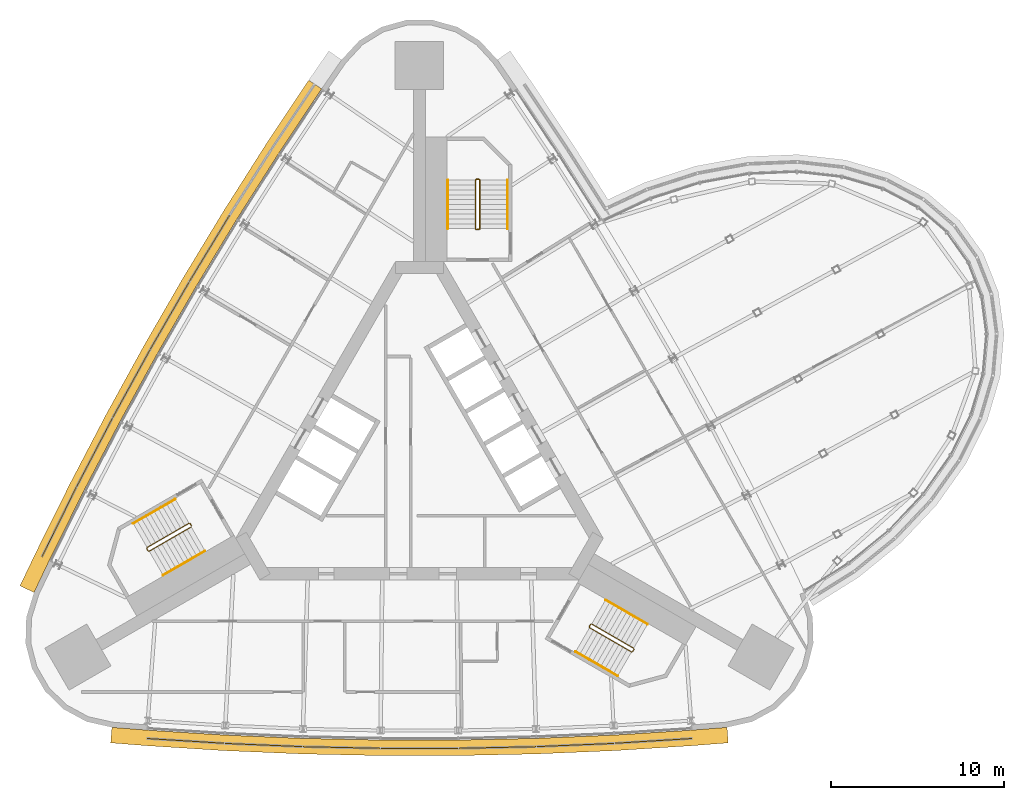
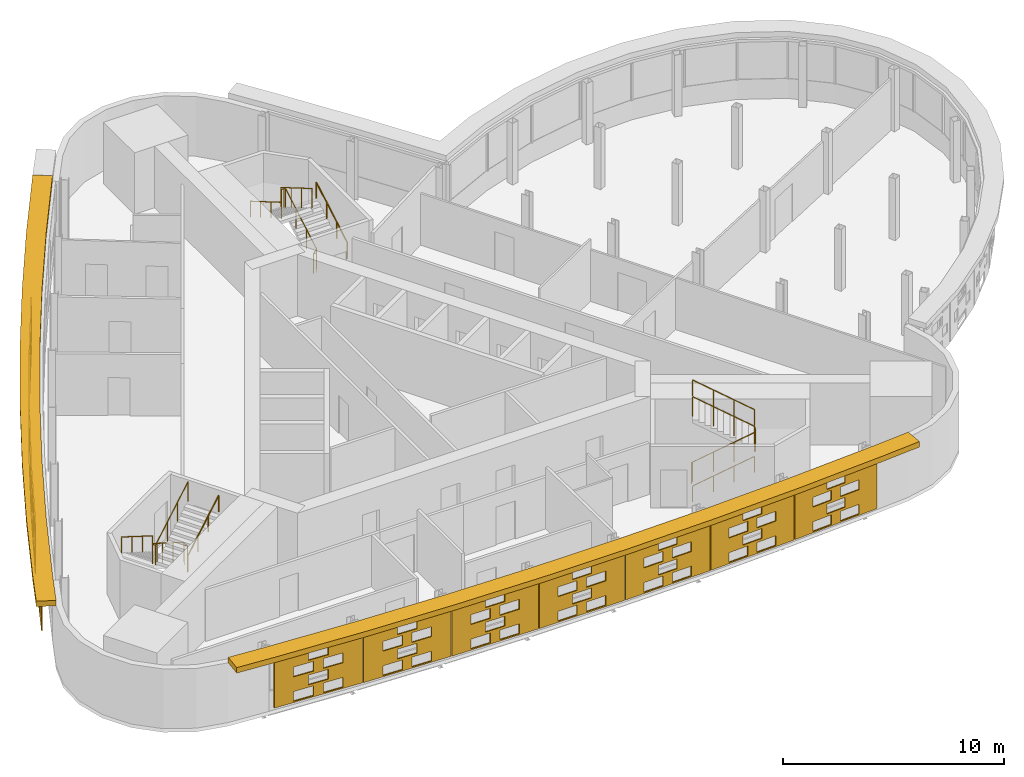
# One storey, part 13 of 15: 14 shading devices, 9 railings.
"""IFC4 building model written with IfcOpenShell, lengths in metres."""

import ifcopenshell
import ifcopenshell.guid

model = None  # the IFC model being written
_history = None  # IfcOwnerHistory: only IFC2X3 demands one
_inside = {}  # id of a spatial element -> (the spatial element, [elements in it])
_under = {}  # id of a project, library or spatial element -> (it, [spatial elements below it])
_declared = {}  # id of a project -> (the project, [libraries it declares])
_typed = {}  # id of a type object -> (the type object, [elements of that type])
_made_of = {}  # id of a material, layer set ... -> (it, [elements and type objects made of it])


def new_model(schema):
    """Start an empty IFC model of exactly this schema.

    Asked for "IFC4X3", IfcOpenShell would pick the latest addendum, in which some entities
    have other attributes; the version numbers below select the first issue.
    IFC2X3 requires an IfcOwnerHistory on every rooted entity: one is made here for all.
    """
    global model, _history
    if schema == "IFC4X3":
        model = ifcopenshell.file(schema_version=(4, 3, 0, 0))
    else:
        model = ifcopenshell.file(schema=schema)
    _inside.clear()
    _under.clear()
    _declared.clear()
    _typed.clear()
    _made_of.clear()
    _history = None
    if model.schema == "IFC2X3":
        org = make("IfcOrganization", Name="unknown")
        user = make(
            "IfcPersonAndOrganization",
            ThePerson=make("IfcPerson", FamilyName="unknown"),
            TheOrganization=org,
        )
        app = make(
            "IfcApplication",
            ApplicationDeveloper=org,
            Version="unknown",
            ApplicationFullName="unknown",
            ApplicationIdentifier="unknown",
        )
        _history = make(
            "IfcOwnerHistory",
            OwningUser=user,
            OwningApplication=app,
            ChangeAction="ADDED",
            CreationDate=0,
        )
    return model


def make(cls, **values):
    """One entity of the class cls with the attributes given. An attribute that is None is left unset."""
    return model.create_entity(
        cls, **{name: value for name, value in values.items() if value is not None}
    )


def rooted(cls, **values):
    """An entity with a GlobalId (a new one), such as an element, a storey or a relation."""
    return make(cls, GlobalId=ifcopenshell.guid.new(), OwnerHistory=_history, **values)


def si_unit(unit_type, name, prefix=None):
    """IfcSIUnit, for example si_unit("LENGTHUNIT", "METRE", prefix="MILLI")."""
    return make("IfcSIUnit", UnitType=unit_type, Prefix=prefix, Name=name)


def assignment(units):
    """IfcUnitAssignment: the units of a project."""
    return None if units is None else make("IfcUnitAssignment", Units=units)


def point(xyz):
    """IfcCartesianPoint."""
    return None if xyz is None else make("IfcCartesianPoint", Coordinates=xyz)


def direction(xyz):
    """IfcDirection."""
    return None if xyz is None else make("IfcDirection", DirectionRatios=xyz)


def frame(location, z_axis=None, x_axis=None):
    """IfcAxis2Placement3D, a coordinate frame: its origin and axes. An axis left out is left unset."""
    return make(
        "IfcAxis2Placement3D",
        Location=point(location),
        Axis=direction(z_axis),
        RefDirection=direction(x_axis),
    )


def frame_2d(location, x_axis=None):
    """IfcAxis2Placement2D, a coordinate frame in the plane: its origin and x axis."""
    return make(
        "IfcAxis2Placement2D", Location=point(location), RefDirection=direction(x_axis)
    )


def origin():
    """The frame at (0, 0, 0) with its axes left unset."""
    return frame((0.0, 0.0, 0.0))


def origin_2d():
    """The frame at (0, 0) in the plane with its x axis left unset."""
    return frame_2d((0.0, 0.0))


def place(relative_to, where):
    """IfcLocalPlacement: puts the frame where relative to a parent placement (None: the world)."""
    return make(
        "IfcLocalPlacement", PlacementRelTo=relative_to, RelativePlacement=where
    )


def context(
    kind, dimensions, precision=None, world=None, true_north=None, identifier=None
):
    """IfcGeometricRepresentationContext, for example the 3D "Model" context."""
    return make(
        "IfcGeometricRepresentationContext",
        ContextIdentifier=identifier,
        ContextType=kind,
        CoordinateSpaceDimension=dimensions,
        Precision=precision,
        WorldCoordinateSystem=world,
        TrueNorth=true_north,
    )


def subcontext(parent, identifier, kind, view, scale=None):
    """IfcGeometricRepresentationSubContext, for example "Body" below "Model"."""
    return make(
        "IfcGeometricRepresentationSubContext",
        ContextIdentifier=identifier,
        ContextType=kind,
        ParentContext=parent,
        TargetScale=scale,
        TargetView=view,
    )


def project(units=None, contexts=None):
    """IfcProject with its units and contexts."""
    return rooted(
        "IfcProject",
        Name="project",
        RepresentationContexts=contexts,
        UnitsInContext=assignment(units),
    )


def spatial(cls, under=None, at=None, **own):
    """A site, building, storey or space (cls), placed at a placement, below another one or the project."""
    s = rooted(cls, ObjectPlacement=at, **own)
    if under is not None:
        _under.setdefault(under.id(), (under, []))[1].append(s)
    return s


def polyline(points):
    """IfcPolyline through the points."""
    return make("IfcPolyline", Points=[point(p) for p in points])


def profile(cls, at=None, kind="AREA", **sizes):
    """A parametric profile (cls). Its sizes go by their IFC names, for example OverallWidth=200.0."""
    return make(cls, ProfileType=kind, Position=at, **sizes)


def circle(**sizes):
    """IfcCircleProfileDef."""
    return profile("IfcCircleProfileDef", **sizes)


def outline(outer, holes=None, kind="AREA"):
    """IfcArbitraryClosedProfileDef: a profile drawn as a closed curve; with holes, ...WithVoids."""
    if holes is None:
        return make("IfcArbitraryClosedProfileDef", ProfileType=kind, OuterCurve=outer)
    return make(
        "IfcArbitraryProfileDefWithVoids",
        ProfileType=kind,
        OuterCurve=outer,
        InnerCurves=holes,
    )


def extrude(swept, where, along, depth):
    """IfcExtrudedAreaSolid: the profile swept, set in the frame where, extruded along a direction by depth."""
    return make(
        "IfcExtrudedAreaSolid",
        SweptArea=swept,
        Position=where,
        ExtrudedDirection=direction(along),
        Depth=depth,
    )


def shape(context_of_items, identifier, shape_type, items):
    """IfcShapeRepresentation: the items that make up one representation, for example the "Body"."""
    return make(
        "IfcShapeRepresentation",
        ContextOfItems=context_of_items,
        RepresentationIdentifier=identifier,
        RepresentationType=shape_type,
        Items=items,
    )


def material(Name=None, Category=None):
    """IfcMaterial."""
    return make("IfcMaterial", Name=Name, Category=Category)


def material_profile(
    of_material, cross_section, Name=None, Category=None, Priority=None
):
    """IfcMaterialProfile: a cross section and its material."""
    return make(
        "IfcMaterialProfile",
        Name=Name,
        Material=of_material,
        Profile=cross_section,
        Priority=Priority,
        Category=Category,
    )


def profile_set(profiles, Name=None, composite=None):
    """IfcMaterialProfileSet."""
    return make(
        "IfcMaterialProfileSet",
        Name=Name,
        MaterialProfiles=profiles,
        CompositeProfile=composite,
    )


def made_of(thing, what):
    """Note that an element or type object is made of a material, layer set ...; save() writes the relation."""
    if what is not None:
        _made_of.setdefault(what.id(), (what, []))[1].append(thing)
    return thing


def type_object(cls, material=None, **own):
    """A type object (cls), such as IfcWallType, which elements share."""
    return made_of(rooted(cls, **own), material)


def element(
    cls,
    number,
    at=None,
    inside=None,
    cuts=None,
    type_object=None,
    material=None,
    context=None,
    identifier="Body",
    shape_type=None,
    held_by="IfcProductDefinitionShape",
    body=None,
    shapes=None,
    **own,
):
    """One element of the class cls, such as IfcWall. Its Tag is "e" and its number.

    at: its placement. inside: the storey or other place that contains it. cuts: it is an
    opening in that element (IfcRelVoidsElement). A single representation is given by context,
    identifier, shape_type and body (its items); several are given by shapes. held_by: the class
    of the entity that holds the representations. save() writes the other relations.
    """
    e = rooted(cls, Tag="e%d" % number, ObjectPlacement=at, **own)
    if body is not None:
        shapes = [shape(context, identifier, shape_type, body)]
    if shapes is not None:
        e.Representation = make(held_by, Representations=shapes)
    if inside is not None:
        _inside.setdefault(inside.id(), (inside, []))[1].append(e)
    if cuts is not None:
        rooted(
            "IfcRelVoidsElement", RelatingBuildingElement=cuts, RelatedOpeningElement=e
        )
    if type_object is not None:
        _typed.setdefault(type_object.id(), (type_object, []))[1].append(e)
    return made_of(e, material)


def aggregate(whole, parts):
    """IfcRelAggregates: a whole, such as a stair, and the parts it consists of."""
    return rooted("IfcRelAggregates", RelatingObject=whole, RelatedObjects=parts)


def save(model, path):
    """Write the relations noted so far, then the file.

    IfcRelAggregates (storeys below a building ...), IfcRelContainedInSpatialStructure (elements
    in a storey), IfcRelDefinesByType, IfcRelAssociatesMaterial and IfcRelDeclares: one each for
    every whole, place, type object, material and project.
    """
    for whole, parts in _under.values():
        aggregate(whole, parts)
    for where, things in _inside.values():
        rooted(
            "IfcRelContainedInSpatialStructure",
            RelatedElements=things,
            RelatingStructure=where,
        )
    for kind, things in _typed.values():
        rooted("IfcRelDefinesByType", RelatedObjects=things, RelatingType=kind)
    for what, things in _made_of.values():
        rooted("IfcRelAssociatesMaterial", RelatedObjects=things, RelatingMaterial=what)
    for by, libraries in _declared.values():
        rooted("IfcRelDeclares", RelatingContext=by, RelatedDefinitions=libraries)
    model.write(path)


model = new_model("IFC4")

# Units and contexts
model_context = context("Model", 3, precision=1e-05, world=origin(), true_north=direction((0.0, 1.0)))
body_context = subcontext(model_context, "Body", "Model", "MODEL_VIEW")
ifc_project = project(units=[si_unit("LENGTHUNIT", "METRE"), si_unit("AREAUNIT", "SQUARE_METRE"), si_unit("VOLUMEUNIT", "CUBIC_METRE"), si_unit("PLANEANGLEUNIT", "RADIAN"), si_unit("MASSUNIT", "GRAM", prefix="KILO")], contexts=[model_context])

# Site, building, storey
site_placement = place(None, origin())
site = spatial("IfcSite", under=ifc_project, at=site_placement, CompositionType="ELEMENT")
building_placement = place(site_placement, origin())
building = spatial("IfcBuilding", under=site, at=building_placement, Name="Noor Cloister Tower", CompositionType="ELEMENT")
storey_placement = place(building_placement, frame((0.0, 0.0, 177.89990234375)))
storey = spatial("IfcBuildingStorey", under=building, at=storey_placement, Name="L45", CompositionType="ELEMENT", Elevation=177.89990234375)

# Shading devices
ifc_material_1 = material(Name="Limestone", Category="masonry")
ifc_material_profile = material_profile(ifc_material_1, outline(polyline([(-2.22998046875, -1.35009765625), (2.22998046875, -1.35009765625), (2.22998046875, 1.35009765625), (-2.22998046875, 1.35009765625), (-2.22998046875, -1.35009765625)]), holes=[polyline([(-1.25, -1.282470703125), (-0.25, -1.282470703125), (-0.25, -0.742431640625), (-1.25, -0.742431640625), (-1.25, -1.282470703125)]), polyline([(0.25, -1.282470703125), (1.25, -1.282470703125), (1.25, -0.742431640625), (0.25, -0.742431640625), (0.25, -1.282470703125)]), polyline([(-0.5, -0.607421875), (0.5, -0.607421875), (0.5, -0.0673828125), (-0.5, -0.0673828125), (-0.5, -0.607421875)]), polyline([(-1.25, 0.0673828125), (-0.25, 0.0673828125), (-0.25, 0.607421875), (-1.25, 0.607421875), (-1.25, 0.0673828125)]), polyline([(0.25, 0.0673828125), (1.25, 0.0673828125), (1.25, 0.607421875), (0.25, 0.607421875), (0.25, 0.0673828125)]), polyline([(-0.5, 0.742431640625), (0.5, 0.742431640625), (0.5, 1.282470703125), (-0.5, 1.282470703125), (-0.5, 0.742431640625)])]), Name="Woven screen 32 percent open")
ifc_profile_set = profile_set([ifc_material_profile], Name="Limestone")
shading_device_type_1 = type_object("IfcShadingDeviceType", Name="SCREEN woven limestone 32 percent open", PredefinedType="USERDEFINED", material=ifc_profile_set)
shading_device_1_placement = place(storey_placement, frame((-12.10888671875, 12.197509765625, 1.85009765625), z_axis=(-0.854980050906, 0.518660883962, 0.0), x_axis=(-0.518660883962, -0.854980050906, 0.0)))
element("IfcShadingDevice", 1, at=shading_device_1_placement, inside=storey, type_object=shading_device_type_1, Name="SCREEN L45 3", ObjectType="SCREEN", PredefinedType="USERDEFINED", context=body_context, shape_type="SweptSolid", body=[
    extrude(outline(polyline([(-2.22998046875, -1.35009765625), (2.22998046875, -1.35009765625), (2.22998046875, 1.35009765625), (-2.22998046875, 1.35009765625), (-2.22998046875, -1.35009765625)]), holes=[polyline([(-1.25, -1.282470703125), (-0.25, -1.282470703125), (-0.25, -0.742431640625), (-1.25, -0.742431640625), (-1.25, -1.282470703125)]), polyline([(0.25, -1.282470703125), (1.25, -1.282470703125), (1.25, -0.742431640625), (0.25, -0.742431640625), (0.25, -1.282470703125)]), polyline([(-0.5, -0.607421875), (0.5, -0.607421875), (0.5, -0.0673828125), (-0.5, -0.0673828125), (-0.5, -0.607421875)]), polyline([(-1.25, 0.0673828125), (-0.25, 0.0673828125), (-0.25, 0.607421875), (-1.25, 0.607421875), (-1.25, 0.0673828125)]), polyline([(0.25, 0.0673828125), (1.25, 0.0673828125), (1.25, 0.607421875), (0.25, 0.607421875), (0.25, 0.0673828125)]), polyline([(-0.5, 0.742431640625), (0.5, 0.742431640625), (0.5, 1.282470703125), (-0.5, 1.282470703125), (-0.5, 0.742431640625)])]), origin(), (0.0, 0.0, 1.0), 0.060302734375),
])
shading_device_2_placement = place(storey_placement, frame((-14.40478515625, 8.316650390625, 1.85009765625), z_axis=(-0.865982457891, 0.500074377092, 0.0), x_axis=(-0.500074377092, -0.865982457891, 0.0)))
element("IfcShadingDevice", 2, at=shading_device_2_placement, inside=storey, type_object=shading_device_type_1, Name="SCREEN L45 4", ObjectType="SCREEN", PredefinedType="USERDEFINED", context=body_context, shape_type="SweptSolid", body=[
    extrude(outline(polyline([(-2.22998046875, -1.35009765625), (2.22998046875, -1.35009765625), (2.22998046875, 1.35009765625), (-2.22998046875, 1.35009765625), (-2.22998046875, -1.35009765625)]), holes=[polyline([(-1.25, -1.282470703125), (-0.25, -1.282470703125), (-0.25, -0.742431640625), (-1.25, -0.742431640625), (-1.25, -1.282470703125)]), polyline([(0.25, -1.282470703125), (1.25, -1.282470703125), (1.25, -0.742431640625), (0.25, -0.742431640625), (0.25, -1.282470703125)]), polyline([(-0.5, -0.607421875), (0.5, -0.607421875), (0.5, -0.0673828125), (-0.5, -0.0673828125), (-0.5, -0.607421875)]), polyline([(-1.25, 0.0673828125), (-0.25, 0.0673828125), (-0.25, 0.607421875), (-1.25, 0.607421875), (-1.25, 0.0673828125)]), polyline([(0.25, 0.0673828125), (1.25, 0.0673828125), (1.25, 0.607421875), (0.25, 0.607421875), (0.25, 0.0673828125)]), polyline([(-0.5, 0.742431640625), (0.5, 0.742431640625), (0.5, 1.282470703125), (-0.5, 1.282470703125), (-0.5, 0.742431640625)])]), origin(), (0.0, 0.0, 1.0), 0.06005859375),
])
shading_device_3_placement = place(storey_placement, frame((-16.617919921875, 4.387939453125, 1.85009765625), z_axis=(-0.876645997325, 0.481135942718, 0.0), x_axis=(-0.481135942718, -0.876645997325, 0.0)))
element("IfcShadingDevice", 3, at=shading_device_3_placement, inside=storey, type_object=shading_device_type_1, Name="SCREEN L45 5", ObjectType="SCREEN", PredefinedType="USERDEFINED", context=body_context, shape_type="SweptSolid", body=[
    extrude(outline(polyline([(-2.22998046875, -1.35009765625), (2.22998046875, -1.35009765625), (2.22998046875, 1.35009765625), (-2.22998046875, 1.35009765625), (-2.22998046875, -1.35009765625)]), holes=[polyline([(-1.25, -1.282470703125), (-0.25, -1.282470703125), (-0.25, -0.742431640625), (-1.25, -0.742431640625), (-1.25, -1.282470703125)]), polyline([(0.25, -1.282470703125), (1.25, -1.282470703125), (1.25, -0.742431640625), (0.25, -0.742431640625), (0.25, -1.282470703125)]), polyline([(-0.5, -0.607421875), (0.5, -0.607421875), (0.5, -0.0673828125), (-0.5, -0.0673828125), (-0.5, -0.607421875)]), polyline([(-1.25, 0.0673828125), (-0.25, 0.0673828125), (-0.25, 0.607421875), (-1.25, 0.607421875), (-1.25, 0.0673828125)]), polyline([(0.25, 0.0673828125), (1.25, 0.0673828125), (1.25, 0.607421875), (0.25, 0.607421875), (0.25, 0.0673828125)]), polyline([(-0.5, 0.742431640625), (0.5, 0.742431640625), (0.5, 1.282470703125), (-0.5, 1.282470703125), (-0.5, 0.742431640625)])]), origin(), (0.0, 0.0, 1.0), 0.059814453125),
])
for number, where, z_axis, x_axis, name in (
    (4, (-18.747314453125, 0.4130859375, 1.85009765625), (-0.886149575817, 0.463399319464, 0.0), (-0.463399319464, -0.886149575817, 0.0), "SCREEN L45 6"),
    (5, (-20.7919921875, -3.605712890625, 1.85009765625), (-0.896848817686, 0.442337199673, 0.0), (-0.442337199673, -0.896848817686, 0.0), "SCREEN L45 7"),
):
    element("IfcShadingDevice", number, at=place(storey_placement, frame(where, z_axis=z_axis, x_axis=x_axis)), inside=storey, type_object=shading_device_type_1, Name=name, ObjectType="SCREEN", PredefinedType="USERDEFINED", context=body_context, shape_type="SweptSolid", body=[
        extrude(outline(polyline([(-2.22998046875, -1.35009765625), (2.22998046875, -1.35009765625), (2.22998046875, 1.35009765625), (-2.22998046875, 1.35009765625), (-2.22998046875, -1.35009765625)]), holes=[polyline([(-1.25, -1.282470703125), (-0.25, -1.282470703125), (-0.25, -0.742431640625), (-1.25, -0.742431640625), (-1.25, -1.282470703125)]), polyline([(0.25, -1.282470703125), (1.25, -1.282470703125), (1.25, -0.742431640625), (0.25, -0.742431640625), (0.25, -1.282470703125)]), polyline([(-0.5, -0.607421875), (0.5, -0.607421875), (0.5, -0.0673828125), (-0.5, -0.0673828125), (-0.5, -0.607421875)]), polyline([(-1.25, 0.0673828125), (-0.25, 0.0673828125), (-0.25, 0.607421875), (-1.25, 0.607421875), (-1.25, 0.0673828125)]), polyline([(0.25, 0.0673828125), (1.25, 0.0673828125), (1.25, 0.607421875), (0.25, 0.607421875), (0.25, 0.0673828125)]), polyline([(-0.5, 0.742431640625), (0.5, 0.742431640625), (0.5, 1.282470703125), (-0.5, 1.282470703125), (-0.5, 0.742431640625)])]), origin(), (0.0, 0.0, 1.0), 0.06005859375),
    ])
for number, where, z_axis, x_axis, name in (
    (6, (-13.518798828125, -16.20361328125, 1.85009765625), (-0.06111006328, -0.998131033565, 0.0), (0.998131033565, -0.06111006328, 0.0), "SCREEN L45 1"),
    (7, (-9.015869140625, -16.4423828125, 1.85009765625), (-0.040782369514, -0.999168053101, 0.0), (0.999168053101, -0.040782369514, 0.0), "SCREEN L45 2"),
):
    element("IfcShadingDevice", number, at=place(storey_placement, frame(where, z_axis=z_axis, x_axis=x_axis)), inside=storey, type_object=shading_device_type_1, Name=name, ObjectType="SCREEN", PredefinedType="USERDEFINED", context=body_context, shape_type="SweptSolid", body=[
        extrude(outline(polyline([(-2.22998046875, -1.35009765625), (2.22998046875, -1.35009765625), (2.22998046875, 1.35009765625), (-2.22998046875, 1.35009765625), (-2.22998046875, -1.35009765625)]), holes=[polyline([(-1.25, -1.282470703125), (-0.25, -1.282470703125), (-0.25, -0.742431640625), (-1.25, -0.742431640625), (-1.25, -1.282470703125)]), polyline([(0.25, -1.282470703125), (1.25, -1.282470703125), (1.25, -0.742431640625), (0.25, -0.742431640625), (0.25, -1.282470703125)]), polyline([(-0.5, -0.607421875), (0.5, -0.607421875), (0.5, -0.0673828125), (-0.5, -0.0673828125), (-0.5, -0.607421875)]), polyline([(-1.25, 0.0673828125), (-0.25, 0.0673828125), (-0.25, 0.607421875), (-1.25, 0.607421875), (-1.25, 0.0673828125)]), polyline([(0.25, 0.0673828125), (1.25, 0.0673828125), (1.25, 0.607421875), (0.25, 0.607421875), (0.25, 0.0673828125)]), polyline([(-0.5, 0.742431640625), (0.5, 0.742431640625), (0.5, 1.282470703125), (-0.5, 1.282470703125), (-0.5, 0.742431640625)])]), origin(), (0.0, 0.0, 1.0), 0.059814453125),
    ])
for number, where, z_axis, x_axis, name in (
    (8, (-4.509033203125, -16.58544921875, 1.85009765625), (-0.020321006241, -0.999793507033, 0.0), (0.999793507033, -0.020321006241, 0.0), "SCREEN L45 3"),
    (9, (0.0, -16.63330078125, 1.85009765625), (0.0, -1.0, 0.0), (1.0, 0.0, 0.0), "SCREEN L45 4"),
    (10, (4.509033203125, -16.58544921875, 1.85009765625), (0.020321006241, -0.999793507033, 0.0), (0.999793507033, 0.020321006241, 0.0), "SCREEN L45 5"),
):
    element("IfcShadingDevice", number, at=place(storey_placement, frame(where, z_axis=z_axis, x_axis=x_axis)), inside=storey, type_object=shading_device_type_1, Name=name, ObjectType="SCREEN", PredefinedType="USERDEFINED", context=body_context, shape_type="SweptSolid", body=[
        extrude(outline(polyline([(-2.22998046875, -1.35009765625), (2.22998046875, -1.35009765625), (2.22998046875, 1.35009765625), (-2.22998046875, 1.35009765625), (-2.22998046875, -1.35009765625)]), holes=[polyline([(-1.25, -1.282470703125), (-0.25, -1.282470703125), (-0.25, -0.742431640625), (-1.25, -0.742431640625), (-1.25, -1.282470703125)]), polyline([(0.25, -1.282470703125), (1.25, -1.282470703125), (1.25, -0.742431640625), (0.25, -0.742431640625), (0.25, -1.282470703125)]), polyline([(-0.5, -0.607421875), (0.5, -0.607421875), (0.5, -0.0673828125), (-0.5, -0.0673828125), (-0.5, -0.607421875)]), polyline([(-1.25, 0.0673828125), (-0.25, 0.0673828125), (-0.25, 0.607421875), (-1.25, 0.607421875), (-1.25, 0.0673828125)]), polyline([(0.25, 0.0673828125), (1.25, 0.0673828125), (1.25, 0.607421875), (0.25, 0.607421875), (0.25, 0.0673828125)]), polyline([(-0.5, 0.742431640625), (0.5, 0.742431640625), (0.5, 1.282470703125), (-0.5, 1.282470703125), (-0.5, 0.742431640625)])]), origin(), (0.0, 0.0, 1.0), 0.06005859375),
    ])
for number, where, z_axis, x_axis, name in (
    (11, (9.015869140625, -16.4423828125, 1.85009765625), (0.040782369514, -0.999168053101, 0.0), (0.999168053101, 0.040782369514, 0.0), "SCREEN L45 6"),
    (12, (13.518798828125, -16.20361328125, 1.85009765625), (0.06111006328, -0.998131033565, 0.0), (0.998131033565, 0.06111006328, 0.0), "SCREEN L45 7"),
):
    element("IfcShadingDevice", number, at=place(storey_placement, frame(where, z_axis=z_axis, x_axis=x_axis)), inside=storey, type_object=shading_device_type_1, Name=name, ObjectType="SCREEN", PredefinedType="USERDEFINED", context=body_context, shape_type="SweptSolid", body=[
        extrude(outline(polyline([(-2.22998046875, -1.35009765625), (2.22998046875, -1.35009765625), (2.22998046875, 1.35009765625), (-2.22998046875, 1.35009765625), (-2.22998046875, -1.35009765625)]), holes=[polyline([(-1.25, -1.282470703125), (-0.25, -1.282470703125), (-0.25, -0.742431640625), (-1.25, -0.742431640625), (-1.25, -1.282470703125)]), polyline([(0.25, -1.282470703125), (1.25, -1.282470703125), (1.25, -0.742431640625), (0.25, -0.742431640625), (0.25, -1.282470703125)]), polyline([(-0.5, -0.607421875), (0.5, -0.607421875), (0.5, -0.0673828125), (-0.5, -0.0673828125), (-0.5, -0.607421875)]), polyline([(-1.25, 0.0673828125), (-0.25, 0.0673828125), (-0.25, 0.607421875), (-1.25, 0.607421875), (-1.25, 0.0673828125)]), polyline([(0.25, 0.0673828125), (1.25, 0.0673828125), (1.25, 0.607421875), (0.25, 0.607421875), (0.25, 0.0673828125)]), polyline([(-0.5, 0.742431640625), (0.5, 0.742431640625), (0.5, 1.282470703125), (-0.5, 1.282470703125), (-0.5, 0.742431640625)])]), origin(), (0.0, 0.0, 1.0), 0.059814453125),
    ])
ifc_material_2 = material(Name="Limestone", Category="masonry")
shading_device_type_2 = type_object("IfcShadingDeviceType", Name="SUNSHADE limestone band 900", PredefinedType="USERDEFINED", material=ifc_material_2)
shading_device_4_placement = place(storey_placement, frame((0.0, 0.0, 3.300048828125)))
element("IfcShadingDevice", 13, at=shading_device_4_placement, inside=storey, type_object=shading_device_type_2, Name="SUNSHADE L45 1", ObjectType="SUNSHADE", PredefinedType="USERDEFINED", context=body_context, shape_type="SweptSolid", body=[
    extrude(outline(polyline([(-6.401611328125, 21.931884765625), (-8.899658203125, 18.177490234375), (-11.322998046875, 14.36328125), (-13.664794921875, 10.498291015625), (-15.92431640625, 6.5849609375), (-18.100341796875, 2.624267578125), (-20.192138671875, -1.38134765625), (-22.197265625, -5.42822265625), (-23.077392578125, -7.275146484375), (-22.264892578125, -7.662353515625), (-21.387939453125, -5.821533203125), (-19.389892578125, -1.78955078125), (-17.30712890625, 2.19921875), (-15.14013671875, 6.14306640625), (-12.89013671875, 10.0400390625), (-10.55810546875, 13.888671875), (-8.145263671875, 17.68701171875), (-5.65234375, 21.43310546875), (-6.401611328125, 21.931884765625)])), origin(), (0.0, 0.0, 1.0), 0.300048828125),
])
shading_device_5_placement = place(storey_placement, frame((0.0, 0.0, 3.300048828125)))
element("IfcShadingDevice", 14, at=shading_device_5_placement, inside=storey, type_object=shading_device_type_2, Name="SUNSHADE L45 2", ObjectType="SUNSHADE", PredefinedType="USERDEFINED", context=body_context, shape_type="SweptSolid", body=[
    extrude(outline(polyline([(-17.839111328125, -16.34814453125), (-15.799560546875, -16.50927734375), (-11.29248046875, -16.796142578125), (-6.77734375, -16.987548828125), (-2.259521484375, -17.083251953125), (2.259521484375, -17.083251953125), (6.77734375, -16.987548828125), (11.29248046875, -16.796142578125), (15.799560546875, -16.50927734375), (17.839111328125, -16.34814453125), (17.76806640625, -15.450927734375), (15.735595703125, -15.611572265625), (11.24462890625, -15.8974609375), (6.748779296875, -16.087890625), (2.25, -16.183349609375), (-2.25, -16.183349609375), (-6.748779296875, -16.087890625), (-11.24462890625, -15.8974609375), (-15.735595703125, -15.611572265625), (-17.76806640625, -15.450927734375), (-17.839111328125, -16.34814453125)])), origin(), (0.0, 0.0, 1.0), 0.300048828125),
])

# Railings
ifc_material_3 = material(Name="Stainless steel", Category="steel")
railing_type_1 = type_object("IfcRailingType", Name="Stair guard 1100", PredefinedType="GUARDRAIL", material=ifc_material_3)
railing_1_placement = place(storey_placement, frame((3.435546875, 13.306396484375, 0.0)))
element("IfcRailing", 15, at=railing_1_placement, inside=storey, type_object=railing_type_1, Name="Stair guard ST1 L45", PredefinedType="GUARDRAIL", context=body_context, shape_type="SweptSolid", body=[
    extrude(circle(Radius=0.02392578125, at=origin_2d()), frame((0.0, 0.0, 1.076171875), z_axis=(-1.0, 0.0, 0.0), x_axis=(0.0, -1.0, 0.0)), (0.0, 0.0, 1.0), 0.14990234375),
    extrude(circle(Radius=0.02392578125, at=origin_2d()), frame((-0.14990234375, 0.0, 1.076171875), z_axis=(0.759432192796, 0.190089865108, 0.622196582865), x_axis=(-0.242814311512, 0.970072785993, 0.0)), (0.0, 0.0, 1.0), 0.26318359375),
    extrude(circle(Radius=0.02392578125, at=origin_2d()), frame((0.050048828125, 0.050048828125, 1.23974609375), z_axis=(0.0, 0.863393664356, 0.504530851732), x_axis=(-1.0, 0.0, 0.0)), (0.0, 0.0, 1.0), 3.2431640625),
    extrude(circle(Radius=0.02392578125, at=origin_2d()), frame((0.050048828125, 2.85009765625, 2.8759765625), z_axis=(-0.708833529934, 0.705375805398, 0.0), x_axis=(-0.705375805398, -0.708833529934, 0.0)), (0.0, 0.0, 1.0), 0.070556640625),
    extrude(circle(Radius=0.02392578125, at=origin_2d()), frame((0.0, 2.89990234375, 2.8759765625), z_axis=(-1.0, 0.0, 0.0), x_axis=(0.0, -1.0, 0.0)), (0.0, 0.0, 1.0), 0.14990234375),
    extrude(circle(Radius=0.02392578125, at=origin_2d()), frame((-0.14990234375, 2.89990234375, 2.8759765625), z_axis=(-0.280916556609, -0.279546231943, 0.91811752648), x_axis=(0.705375805398, -0.708833529934, 0.0)), (0.0, 0.0, 1.0), 0.17822265625),
    extrude(circle(Radius=0.02392578125, at=origin_2d()), frame((-0.199951171875, 2.85009765625, 3.03955078125), z_axis=(0.0, -0.863360870873, 0.504586966384), x_axis=(1.0, 0.0, 0.0)), (0.0, 0.0, 1.0), 3.2431640625),
    extrude(circle(Radius=0.02099609375, at=origin_2d()), origin(), (0.0, 0.0, 1.0), 1.052001953125),
    extrude(circle(Radius=0.02099609375, at=origin_2d()), frame((-0.14990234375, 0.0, 0.0)), (0.0, 0.0, 1.0), 1.052001953125),
    extrude(circle(Radius=0.02099609375, at=origin_2d()), frame((0.050048828125, 0.050048828125, 0.163818359375)), (0.0, 0.0, 1.0), 1.052001953125),
    extrude(circle(Radius=0.02099609375, at=origin_2d()), frame((0.050048828125, 0.9833984375, 0.709228515625)), (0.0, 0.0, 1.0), 1.052001953125),
    extrude(circle(Radius=0.02099609375, at=origin_2d()), frame((0.050048828125, 1.916748046875, 1.254638671875)), (0.0, 0.0, 1.0), 1.052001953125),
    extrude(circle(Radius=0.02099609375, at=origin_2d()), frame((0.050048828125, 2.85009765625, 1.800048828125)), (0.0, 0.0, 1.0), 1.052001953125),
    extrude(circle(Radius=0.02099609375, at=origin_2d()), frame((0.0, 2.89990234375, 1.800048828125)), (0.0, 0.0, 1.0), 1.052001953125),
    extrude(circle(Radius=0.02099609375, at=origin_2d()), frame((-0.14990234375, 2.89990234375, 1.800048828125)), (0.0, 0.0, 1.0), 1.052001953125),
    extrude(circle(Radius=0.02099609375, at=origin_2d()), frame((-0.199951171875, 2.85009765625, 1.963623046875)), (0.0, 0.0, 1.0), 1.052001953125),
    extrude(circle(Radius=0.02099609375, at=origin_2d()), frame((-0.199951171875, 1.916748046875, 2.509033203125)), (0.0, 0.0, 1.0), 1.052001953125),
    extrude(circle(Radius=0.02099609375, at=origin_2d()), frame((-0.199951171875, 0.9833984375, 3.0546875)), (0.0, 0.0, 1.0), 1.052001953125),
    extrude(circle(Radius=0.02099609375, at=origin_2d()), frame((-0.199951171875, 0.050048828125, 3.60009765625)), (0.0, 0.0, 1.0), 1.052001953125),
])
railing_2_placement = place(storey_placement, frame((-13.241455078125, -3.677734375, 0.0)))
element("IfcRailing", 16, at=railing_2_placement, inside=storey, type_object=railing_type_1, Name="Stair guard ST2 L45", PredefinedType="GUARDRAIL", context=body_context, shape_type="SweptSolid", body=[
    extrude(circle(Radius=0.02392578125, at=origin_2d()), frame((0.0, 0.0, 1.076171875), z_axis=(0.499112439033, -0.866537231285, 0.0), x_axis=(0.866537231285, 0.499112439033, 0.0)), (0.0, 0.0, 1.0), 0.150146484375),
    extrude(circle(Radius=0.02392578125, at=origin_2d()), frame((0.074951171875, -0.130126953125, 1.076171875), z_axis=(-0.544251820729, 0.562795323991, 0.622134534428), x_axis=(-0.718850276695, -0.695164929852, 0.0)), (0.0, 0.0, 1.0), 0.263427734375),
    extrude(circle(Radius=0.02392578125, at=origin_2d()), frame((-0.068359375, 0.01806640625, 1.23974609375), z_axis=(-0.74771821388, -0.431677027627, 0.504551698492), x_axis=(0.49998411664, -0.866034573852, 0.0)), (0.0, 0.0, 1.0), 3.242919921875),
    extrude(circle(Radius=0.02392578125, at=origin_2d()), frame((-2.4931640625, -1.3818359375, 2.8759765625), z_axis=(-0.258736085224, -0.965948051503, 0.0), x_axis=(0.965948051503, -0.258736085224, 0.0)), (0.0, 0.0, 1.0), 0.07080078125),
    extrude(circle(Radius=0.02392578125, at=origin_2d()), frame((-2.511474609375, -1.4501953125, 2.8759765625), z_axis=(0.499816412211, -0.866131372301, 0.0), x_axis=(0.866131372301, 0.499816412211, 0.0)), (0.0, 0.0, 1.0), 0.14990234375),
    extrude(circle(Radius=0.02392578125, at=origin_2d()), frame((-2.4365234375, -1.580078125, 2.8759765625), z_axis=(0.383552647116, -0.102737316192, 0.917786691313), x_axis=(0.258736085224, 0.965948051503, 0.0)), (0.0, 0.0, 1.0), 0.17822265625),
    extrude(circle(Radius=0.02392578125, at=origin_2d()), frame((-2.3681640625, -1.598388671875, 3.03955078125), z_axis=(0.747665513933, 0.431721881032, 0.504591415616), x_axis=(-0.500049511043, 0.865996816683, 0.0)), (0.0, 0.0, 1.0), 3.2431640625),
    extrude(circle(Radius=0.02099609375, at=origin_2d()), origin(), (0.0, 0.0, 1.0), 1.052001953125),
    extrude(circle(Radius=0.02099609375, at=origin_2d()), frame((0.074951171875, -0.130126953125, 0.0)), (0.0, 0.0, 1.0), 1.052001953125),
    extrude(circle(Radius=0.02099609375, at=origin_2d()), frame((-0.068359375, 0.01806640625, 0.163818359375)), (0.0, 0.0, 1.0), 1.052001953125),
    extrude(circle(Radius=0.02099609375, at=origin_2d()), frame((-0.876708984375, -0.448486328125, 0.709228515625)), (0.0, 0.0, 1.0), 1.052001953125),
    extrude(circle(Radius=0.02099609375, at=origin_2d()), frame((-1.684814453125, -0.915283203125, 1.254638671875)), (0.0, 0.0, 1.0), 1.052001953125),
    extrude(circle(Radius=0.02099609375, at=origin_2d()), frame((-2.4931640625, -1.3818359375, 1.800048828125)), (0.0, 0.0, 1.0), 1.052001953125),
    extrude(circle(Radius=0.02099609375, at=origin_2d()), frame((-2.511474609375, -1.4501953125, 1.800048828125)), (0.0, 0.0, 1.0), 1.052001953125),
    extrude(circle(Radius=0.02099609375, at=origin_2d()), frame((-2.4365234375, -1.580078125, 1.800048828125)), (0.0, 0.0, 1.0), 1.052001953125),
    extrude(circle(Radius=0.02099609375, at=origin_2d()), frame((-2.3681640625, -1.598388671875, 1.963623046875)), (0.0, 0.0, 1.0), 1.052001953125),
    extrude(circle(Radius=0.02099609375, at=origin_2d()), frame((-1.559814453125, -1.131591796875, 2.509033203125)), (0.0, 0.0, 1.0), 1.052001953125),
    extrude(circle(Radius=0.02099609375, at=origin_2d()), frame((-0.751708984375, -0.6650390625, 3.0546875)), (0.0, 0.0, 1.0), 1.052001953125),
    extrude(circle(Radius=0.02099609375, at=origin_2d()), frame((0.056640625, -0.1982421875, 3.60009765625)), (0.0, 0.0, 1.0), 1.052001953125),
])
railing_3_placement = place(storey_placement, frame((9.805908203125, -9.628662109375, 0.0)))
element("IfcRailing", 17, at=railing_3_placement, inside=storey, type_object=railing_type_1, Name="Stair guard ST3 L45", PredefinedType="GUARDRAIL", context=body_context, shape_type="SweptSolid", body=[
    extrude(circle(Radius=0.02392578125, at=origin_2d()), frame((0.0, 0.0, 1.076171875), z_axis=(0.499112439033, 0.866537231285, 0.0), x_axis=(-0.866537231285, 0.499112439033, 0.0)), (0.0, 0.0, 1.0), 0.150146484375),
    extrude(circle(Radius=0.02392578125, at=origin_2d()), frame((0.074951171875, 0.130126953125, 1.076171875), z_axis=(-0.215090770512, -0.752817696793, 0.622094426784), x_axis=(0.961523947641, -0.274721127897, 0.0)), (0.0, 0.0, 1.0), 0.263427734375),
    extrude(circle(Radius=0.02392578125, at=origin_2d()), frame((0.018310546875, -0.068115234375, 1.23974609375), z_axis=(0.747693913401, -0.431738279637, 0.504535300807), x_axis=(0.500049511043, 0.865996816683, 0.0)), (0.0, 0.0, 1.0), 3.2431640625),
    extrude(circle(Radius=0.02392578125, at=origin_2d()), frame((2.443115234375, -1.46826171875, 2.8759765625), z_axis=(0.965948051503, 0.258736085224, 0.0), x_axis=(-0.258736085224, 0.965948051503, 0.0)), (0.0, 0.0, 1.0), 0.07080078125),
    extrude(circle(Radius=0.02392578125, at=origin_2d()), frame((2.511474609375, -1.449951171875, 2.8759765625), z_axis=(0.499816412211, 0.866131372301, 0.0), x_axis=(-0.866131372301, 0.499816412211, 0.0)), (0.0, 0.0, 1.0), 0.14990234375),
    extrude(circle(Radius=0.02392578125, at=origin_2d()), frame((2.58642578125, -1.320068359375, 2.8759765625), z_axis=(-0.102737316192, 0.383552647116, 0.917786691313), x_axis=(-0.965948051503, -0.258736085224, 0.0)), (0.0, 0.0, 1.0), 0.17822265625),
    extrude(circle(Radius=0.02392578125, at=origin_2d()), frame((2.568115234375, -1.251708984375, 3.03955078125), z_axis=(-0.747689811644, 0.431660630283, 0.504607813879), x_axis=(-0.49998411664, -0.866034573852, 0.0)), (0.0, 0.0, 1.0), 3.2431640625),
    extrude(circle(Radius=0.02099609375, at=origin_2d()), origin(), (0.0, 0.0, 1.0), 1.052001953125),
    extrude(circle(Radius=0.02099609375, at=origin_2d()), frame((0.074951171875, 0.130126953125, 0.0)), (0.0, 0.0, 1.0), 1.052001953125),
    extrude(circle(Radius=0.02099609375, at=origin_2d()), frame((0.018310546875, -0.068115234375, 0.163818359375)), (0.0, 0.0, 1.0), 1.052001953125),
    extrude(circle(Radius=0.02099609375, at=origin_2d()), frame((0.82666015625, -0.534912109375, 0.709228515625)), (0.0, 0.0, 1.0), 1.052001953125),
    extrude(circle(Radius=0.02099609375, at=origin_2d()), frame((1.634765625, -1.00146484375, 1.254638671875)), (0.0, 0.0, 1.0), 1.052001953125),
    extrude(circle(Radius=0.02099609375, at=origin_2d()), frame((2.443115234375, -1.46826171875, 1.800048828125)), (0.0, 0.0, 1.0), 1.052001953125),
    extrude(circle(Radius=0.02099609375, at=origin_2d()), frame((2.511474609375, -1.449951171875, 1.800048828125)), (0.0, 0.0, 1.0), 1.052001953125),
    extrude(circle(Radius=0.02099609375, at=origin_2d()), frame((2.58642578125, -1.320068359375, 1.800048828125)), (0.0, 0.0, 1.0), 1.052001953125),
    extrude(circle(Radius=0.02099609375, at=origin_2d()), frame((2.568115234375, -1.251708984375, 1.963623046875)), (0.0, 0.0, 1.0), 1.052001953125),
    extrude(circle(Radius=0.02099609375, at=origin_2d()), frame((1.759765625, -0.78515625, 2.509033203125)), (0.0, 0.0, 1.0), 1.052001953125),
    extrude(circle(Radius=0.02099609375, at=origin_2d()), frame((0.95166015625, -0.318359375, 3.0546875)), (0.0, 0.0, 1.0), 1.052001953125),
    extrude(circle(Radius=0.02099609375, at=origin_2d()), frame((0.143310546875, 0.148193359375, 3.60009765625)), (0.0, 0.0, 1.0), 1.052001953125),
])
ifc_material_4 = material(Name="Stainless steel", Category="steel")
railing_type_2 = type_object("IfcRailingType", Name="Stair handrail 900", PredefinedType="HANDRAIL", material=ifc_material_4)
railing_4_placement = place(storey_placement, frame((5.085693359375, 13.3564453125, 0.163818359375)))
element("IfcRailing", 18, at=railing_4_placement, inside=storey, type_object=railing_type_2, Name="Stair handrail ST1 L45 1", PredefinedType="HANDRAIL", context=body_context, shape_type="SweptSolid", body=[
    extrude(circle(Radius=0.02392578125, at=origin_2d()), frame((0.0, 0.0, 0.8759765625), z_axis=(0.0, 0.863393664356, 0.504530851732), x_axis=(-1.0, 0.0, 0.0)), (0.0, 0.0, 1.0), 3.2431640625),
    extrude(circle(Radius=0.02099609375, at=origin_2d()), origin(), (0.0, 0.0, 1.0), 0.851806640625),
    extrude(circle(Radius=0.02099609375, at=origin_2d()), frame((0.0, 0.933349609375, 0.54541015625)), (0.0, 0.0, 1.0), 0.851806640625),
    extrude(circle(Radius=0.02099609375, at=origin_2d()), frame((0.0, 1.86669921875, 1.0908203125)), (0.0, 0.0, 1.0), 0.851806640625),
    extrude(circle(Radius=0.02099609375, at=origin_2d()), frame((0.0, 2.800048828125, 1.63623046875)), (0.0, 0.0, 1.0), 0.851806640625),
])
railing_5_placement = place(storey_placement, frame((1.6357421875, 16.156494140625, 1.963623046875)))
element("IfcRailing", 19, at=railing_5_placement, inside=storey, type_object=railing_type_2, Name="Stair handrail ST1 L45 2", PredefinedType="HANDRAIL", context=body_context, shape_type="SweptSolid", body=[
    extrude(circle(Radius=0.02392578125, at=origin_2d()), frame((0.0, 0.0, 0.8759765625), z_axis=(0.0, -0.863360870873, 0.504586966384), x_axis=(1.0, 0.0, 0.0)), (0.0, 0.0, 1.0), 3.2431640625),
    extrude(circle(Radius=0.02099609375, at=origin_2d()), origin(), (0.0, 0.0, 1.0), 0.851806640625),
    extrude(circle(Radius=0.02099609375, at=origin_2d()), frame((0.0, -0.933349609375, 0.54541015625)), (0.0, 0.0, 1.0), 0.851806640625),
    extrude(circle(Radius=0.02099609375, at=origin_2d()), frame((0.0, -1.86669921875, 1.091064453125)), (0.0, 0.0, 1.0), 0.851806640625),
    extrude(circle(Radius=0.02099609375, at=origin_2d()), frame((0.0, -2.800048828125, 1.636474609375)), (0.0, 0.0, 1.0), 0.851806640625),
])
railing_6_placement = place(storey_placement, frame((-14.10986328125, -2.27392578125, 0.163818359375)))
element("IfcRailing", 20, at=railing_6_placement, inside=storey, type_object=railing_type_2, Name="Stair handrail ST2 L45 1", PredefinedType="HANDRAIL", context=body_context, shape_type="SweptSolid", body=[
    extrude(circle(Radius=0.02392578125, at=origin_2d()), frame((0.0, 0.0, 0.8759765625), z_axis=(-0.74771821388, -0.431677027627, 0.504551698492), x_axis=(0.49998411664, -0.866034573852, 0.0)), (0.0, 0.0, 1.0), 3.242919921875),
    extrude(circle(Radius=0.02099609375, at=origin_2d()), origin(), (0.0, 0.0, 1.0), 0.851806640625),
    extrude(circle(Radius=0.02099609375, at=origin_2d()), frame((-0.808349609375, -0.466552734375, 0.54541015625)), (0.0, 0.0, 1.0), 0.851806640625),
    extrude(circle(Radius=0.02099609375, at=origin_2d()), frame((-1.616455078125, -0.933349609375, 1.0908203125)), (0.0, 0.0, 1.0), 0.851806640625),
    extrude(circle(Radius=0.02099609375, at=origin_2d()), frame((-2.4248046875, -1.39990234375, 1.63623046875)), (0.0, 0.0, 1.0), 0.851806640625),
])
railing_7_placement = place(storey_placement, frame((-14.8095703125, -6.66162109375, 1.963623046875)))
element("IfcRailing", 21, at=railing_7_placement, inside=storey, type_object=railing_type_2, Name="Stair handrail ST2 L45 2", PredefinedType="HANDRAIL", context=body_context, shape_type="SweptSolid", body=[
    extrude(circle(Radius=0.02392578125, at=origin_2d()), frame((0.0, 0.0, 0.8759765625), z_axis=(0.747689811644, 0.431660630283, 0.504607813879), x_axis=(-0.49998411664, 0.866034573852, 0.0)), (0.0, 0.0, 1.0), 3.2431640625),
    extrude(circle(Radius=0.02099609375, at=origin_2d()), origin(), (0.0, 0.0, 1.0), 0.851806640625),
    extrude(circle(Radius=0.02099609375, at=origin_2d()), frame((0.808349609375, 0.466552734375, 0.54541015625)), (0.0, 0.0, 1.0), 0.851806640625),
    extrude(circle(Radius=0.02099609375, at=origin_2d()), frame((1.616455078125, 0.933349609375, 1.091064453125)), (0.0, 0.0, 1.0), 0.851806640625),
    extrude(circle(Radius=0.02099609375, at=origin_2d()), frame((2.4248046875, 1.39990234375, 1.636474609375)), (0.0, 0.0, 1.0), 0.851806640625),
])
railing_8_placement = place(storey_placement, frame((9.024169921875, -11.08251953125, 0.163818359375)))
element("IfcRailing", 22, at=railing_8_placement, inside=storey, type_object=railing_type_2, Name="Stair handrail ST3 L45 1", PredefinedType="HANDRAIL", context=body_context, shape_type="SweptSolid", body=[
    extrude(circle(Radius=0.02392578125, at=origin_2d()), frame((0.0, 0.0, 0.8759765625), z_axis=(0.74771821388, -0.431677027627, 0.504551698492), x_axis=(0.49998411664, 0.866034573852, 0.0)), (0.0, 0.0, 1.0), 3.242919921875),
    extrude(circle(Radius=0.02099609375, at=origin_2d()), origin(), (0.0, 0.0, 1.0), 0.851806640625),
    extrude(circle(Radius=0.02099609375, at=origin_2d()), frame((0.808349609375, -0.466552734375, 0.54541015625)), (0.0, 0.0, 1.0), 0.851806640625),
    extrude(circle(Radius=0.02099609375, at=origin_2d()), frame((1.616455078125, -0.933349609375, 1.0908203125)), (0.0, 0.0, 1.0), 0.851806640625),
    extrude(circle(Radius=0.02099609375, at=origin_2d()), frame((2.4248046875, -1.39990234375, 1.63623046875)), (0.0, 0.0, 1.0), 0.851806640625),
])
railing_9_placement = place(storey_placement, frame((13.174072265625, -9.49462890625, 1.963623046875)))
element("IfcRailing", 23, at=railing_9_placement, inside=storey, type_object=railing_type_2, Name="Stair handrail ST3 L45 2", PredefinedType="HANDRAIL", context=body_context, shape_type="SweptSolid", body=[
    extrude(circle(Radius=0.02392578125, at=origin_2d()), frame((0.0, 0.0, 0.8759765625), z_axis=(-0.747689811644, 0.431660630283, 0.504607813879), x_axis=(-0.49998411664, -0.866034573852, 0.0)), (0.0, 0.0, 1.0), 3.2431640625),
    extrude(circle(Radius=0.02099609375, at=origin_2d()), origin(), (0.0, 0.0, 1.0), 0.851806640625),
    extrude(circle(Radius=0.02099609375, at=origin_2d()), frame((-0.808349609375, 0.466552734375, 0.54541015625)), (0.0, 0.0, 1.0), 0.851806640625),
    extrude(circle(Radius=0.02099609375, at=origin_2d()), frame((-1.616455078125, 0.933349609375, 1.091064453125)), (0.0, 0.0, 1.0), 0.851806640625),
    extrude(circle(Radius=0.02099609375, at=origin_2d()), frame((-2.4248046875, 1.39990234375, 1.636474609375)), (0.0, 0.0, 1.0), 0.851806640625),
])

save(model, "model.ifc")
